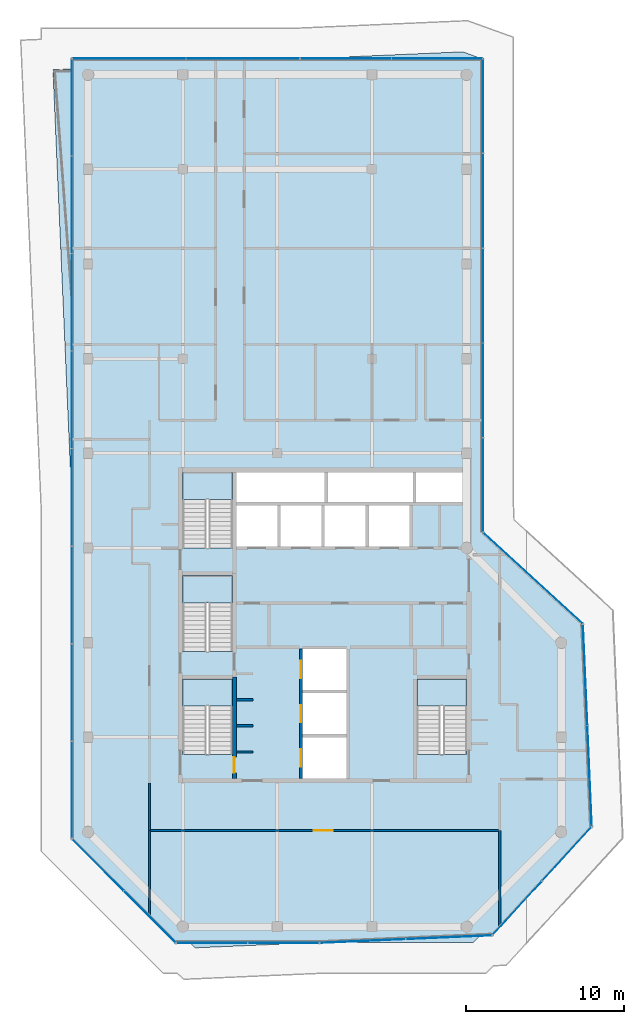
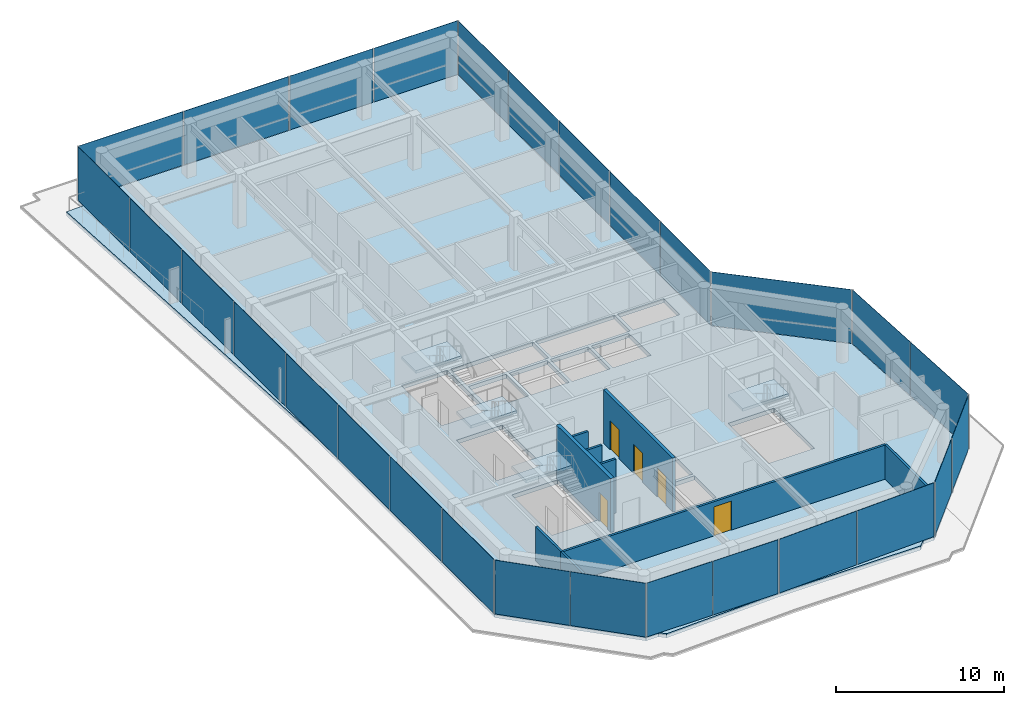
# One storey, part 14 of 19: 28 plates, 9 walls, 5 doors, 5 slabs, 5 openings, 14 elements without a shape of their own.
"""IFC4 building model written with IfcOpenShell, lengths in metres."""

import ifcopenshell
import ifcopenshell.guid

model = None  # the IFC model being written
_history = None  # IfcOwnerHistory: only IFC2X3 demands one
_inside = {}  # id of a spatial element -> (the spatial element, [elements in it])
_under = {}  # id of a project, library or spatial element -> (it, [spatial elements below it])
_declared = {}  # id of a project -> (the project, [libraries it declares])
_typed = {}  # id of a type object -> (the type object, [elements of that type])
_made_of = {}  # id of a material, layer set ... -> (it, [elements and type objects made of it])


def new_model(schema):
    """Start an empty IFC model of exactly this schema.

    Asked for "IFC4X3", IfcOpenShell would pick the latest addendum, in which some entities
    have other attributes; the version numbers below select the first issue.
    IFC2X3 requires an IfcOwnerHistory on every rooted entity: one is made here for all.
    """
    global model, _history
    if schema == "IFC4X3":
        model = ifcopenshell.file(schema_version=(4, 3, 0, 0))
    else:
        model = ifcopenshell.file(schema=schema)
    _inside.clear()
    _under.clear()
    _declared.clear()
    _typed.clear()
    _made_of.clear()
    _history = None
    if model.schema == "IFC2X3":
        org = make("IfcOrganization", Name="unknown")
        user = make(
            "IfcPersonAndOrganization",
            ThePerson=make("IfcPerson", FamilyName="unknown"),
            TheOrganization=org,
        )
        app = make(
            "IfcApplication",
            ApplicationDeveloper=org,
            Version="unknown",
            ApplicationFullName="unknown",
            ApplicationIdentifier="unknown",
        )
        _history = make(
            "IfcOwnerHistory",
            OwningUser=user,
            OwningApplication=app,
            ChangeAction="ADDED",
            CreationDate=0,
        )
    return model


def make(cls, **values):
    """One entity of the class cls with the attributes given. An attribute that is None is left unset."""
    return model.create_entity(
        cls, **{name: value for name, value in values.items() if value is not None}
    )


def rooted(cls, **values):
    """An entity with a GlobalId (a new one), such as an element, a storey or a relation."""
    return make(cls, GlobalId=ifcopenshell.guid.new(), OwnerHistory=_history, **values)


def si_unit(unit_type, name, prefix=None):
    """IfcSIUnit, for example si_unit("LENGTHUNIT", "METRE", prefix="MILLI")."""
    return make("IfcSIUnit", UnitType=unit_type, Prefix=prefix, Name=name)


def assignment(units):
    """IfcUnitAssignment: the units of a project."""
    return None if units is None else make("IfcUnitAssignment", Units=units)


def point(xyz):
    """IfcCartesianPoint."""
    return None if xyz is None else make("IfcCartesianPoint", Coordinates=xyz)


def direction(xyz):
    """IfcDirection."""
    return None if xyz is None else make("IfcDirection", DirectionRatios=xyz)


def frame(location, z_axis=None, x_axis=None):
    """IfcAxis2Placement3D, a coordinate frame: its origin and axes. An axis left out is left unset."""
    return make(
        "IfcAxis2Placement3D",
        Location=point(location),
        Axis=direction(z_axis),
        RefDirection=direction(x_axis),
    )


def frame_2d(location, x_axis=None):
    """IfcAxis2Placement2D, a coordinate frame in the plane: its origin and x axis."""
    return make(
        "IfcAxis2Placement2D", Location=point(location), RefDirection=direction(x_axis)
    )


def origin():
    """The frame at (0, 0, 0) with its axes left unset."""
    return frame((0.0, 0.0, 0.0))


def origin_2d():
    """The frame at (0, 0) in the plane with its x axis left unset."""
    return frame_2d((0.0, 0.0))


def place(relative_to, where):
    """IfcLocalPlacement: puts the frame where relative to a parent placement (None: the world)."""
    return make(
        "IfcLocalPlacement", PlacementRelTo=relative_to, RelativePlacement=where
    )


def context(
    kind, dimensions, precision=None, world=None, true_north=None, identifier=None
):
    """IfcGeometricRepresentationContext, for example the 3D "Model" context."""
    return make(
        "IfcGeometricRepresentationContext",
        ContextIdentifier=identifier,
        ContextType=kind,
        CoordinateSpaceDimension=dimensions,
        Precision=precision,
        WorldCoordinateSystem=world,
        TrueNorth=true_north,
    )


def subcontext(parent, identifier, kind, view, scale=None):
    """IfcGeometricRepresentationSubContext, for example "Body" below "Model"."""
    return make(
        "IfcGeometricRepresentationSubContext",
        ContextIdentifier=identifier,
        ContextType=kind,
        ParentContext=parent,
        TargetScale=scale,
        TargetView=view,
    )


def project(units=None, contexts=None):
    """IfcProject with its units and contexts."""
    return rooted(
        "IfcProject",
        Name="project",
        RepresentationContexts=contexts,
        UnitsInContext=assignment(units),
    )


def spatial(cls, under=None, at=None, **own):
    """A site, building, storey or space (cls), placed at a placement, below another one or the project."""
    s = rooted(cls, ObjectPlacement=at, **own)
    if under is not None:
        _under.setdefault(under.id(), (under, []))[1].append(s)
    return s


def polyline(points):
    """IfcPolyline through the points."""
    return make("IfcPolyline", Points=[point(p) for p in points])


def profile(cls, at=None, kind="AREA", **sizes):
    """A parametric profile (cls). Its sizes go by their IFC names, for example OverallWidth=200.0."""
    return make(cls, ProfileType=kind, Position=at, **sizes)


def rectangle(**sizes):
    """IfcRectangleProfileDef."""
    return profile("IfcRectangleProfileDef", **sizes)


def outline(outer, holes=None, kind="AREA"):
    """IfcArbitraryClosedProfileDef: a profile drawn as a closed curve; with holes, ...WithVoids."""
    if holes is None:
        return make("IfcArbitraryClosedProfileDef", ProfileType=kind, OuterCurve=outer)
    return make(
        "IfcArbitraryProfileDefWithVoids",
        ProfileType=kind,
        OuterCurve=outer,
        InnerCurves=holes,
    )


def extrude(swept, where, along, depth):
    """IfcExtrudedAreaSolid: the profile swept, set in the frame where, extruded along a direction by depth."""
    return make(
        "IfcExtrudedAreaSolid",
        SweptArea=swept,
        Position=where,
        ExtrudedDirection=direction(along),
        Depth=depth,
    )


def shape(context_of_items, identifier, shape_type, items):
    """IfcShapeRepresentation: the items that make up one representation, for example the "Body"."""
    return make(
        "IfcShapeRepresentation",
        ContextOfItems=context_of_items,
        RepresentationIdentifier=identifier,
        RepresentationType=shape_type,
        Items=items,
    )


def material(Name=None, Category=None):
    """IfcMaterial."""
    return make("IfcMaterial", Name=Name, Category=Category)


def layer(
    of_material, thickness, ventilated=None, Name=None, Category=None, Priority=None
):
    """IfcMaterialLayer: one layer of a wall or slab, of a material (None: an air gap)."""
    return make(
        "IfcMaterialLayer",
        Material=of_material,
        LayerThickness=thickness,
        IsVentilated=ventilated,
        Name=Name,
        Category=Category,
        Priority=Priority,
    )


def layer_set(layers, Name=None):
    """IfcMaterialLayerSet."""
    return make("IfcMaterialLayerSet", MaterialLayers=layers, LayerSetName=Name)


def made_of(thing, what):
    """Note that an element or type object is made of a material, layer set ...; save() writes the relation."""
    if what is not None:
        _made_of.setdefault(what.id(), (what, []))[1].append(thing)
    return thing


def type_object(cls, material=None, **own):
    """A type object (cls), such as IfcWallType, which elements share."""
    return made_of(rooted(cls, **own), material)


def element(
    cls,
    number,
    at=None,
    inside=None,
    cuts=None,
    type_object=None,
    material=None,
    context=None,
    identifier="Body",
    shape_type=None,
    held_by="IfcProductDefinitionShape",
    body=None,
    shapes=None,
    **own,
):
    """One element of the class cls, such as IfcWall. Its Tag is "e" and its number.

    at: its placement. inside: the storey or other place that contains it. cuts: it is an
    opening in that element (IfcRelVoidsElement). A single representation is given by context,
    identifier, shape_type and body (its items); several are given by shapes. held_by: the class
    of the entity that holds the representations. save() writes the other relations.
    """
    e = rooted(cls, Tag="e%d" % number, ObjectPlacement=at, **own)
    if body is not None:
        shapes = [shape(context, identifier, shape_type, body)]
    if shapes is not None:
        e.Representation = make(held_by, Representations=shapes)
    if inside is not None:
        _inside.setdefault(inside.id(), (inside, []))[1].append(e)
    if cuts is not None:
        rooted(
            "IfcRelVoidsElement", RelatingBuildingElement=cuts, RelatedOpeningElement=e
        )
    if type_object is not None:
        _typed.setdefault(type_object.id(), (type_object, []))[1].append(e)
    return made_of(e, material)


def fill(opening, filler):
    """IfcRelFillsElement: the door or window that sits in an opening."""
    return rooted(
        "IfcRelFillsElement",
        RelatingOpeningElement=opening,
        RelatedBuildingElement=filler,
    )


def aggregate(whole, parts):
    """IfcRelAggregates: a whole, such as a stair, and the parts it consists of."""
    return rooted("IfcRelAggregates", RelatingObject=whole, RelatedObjects=parts)


def save(model, path):
    """Write the relations noted so far, then the file.

    IfcRelAggregates (storeys below a building ...), IfcRelContainedInSpatialStructure (elements
    in a storey), IfcRelDefinesByType, IfcRelAssociatesMaterial and IfcRelDeclares: one each for
    every whole, place, type object, material and project.
    """
    for whole, parts in _under.values():
        aggregate(whole, parts)
    for where, things in _inside.values():
        rooted(
            "IfcRelContainedInSpatialStructure",
            RelatedElements=things,
            RelatingStructure=where,
        )
    for kind, things in _typed.values():
        rooted("IfcRelDefinesByType", RelatedObjects=things, RelatingType=kind)
    for what, things in _made_of.values():
        rooted("IfcRelAssociatesMaterial", RelatedObjects=things, RelatingMaterial=what)
    for by, libraries in _declared.values():
        rooted("IfcRelDeclares", RelatingContext=by, RelatedDefinitions=libraries)
    model.write(path)


model = new_model("IFC4")

# Units and contexts
model_context = context("Model", 3, precision=1e-05, world=origin(), true_north=direction((0.0, 1.0)))
body_context = subcontext(model_context, "Body", "Model", "MODEL_VIEW")
ifc_project = project(units=[si_unit("LENGTHUNIT", "METRE"), si_unit("AREAUNIT", "SQUARE_METRE"), si_unit("VOLUMEUNIT", "CUBIC_METRE"), si_unit("PLANEANGLEUNIT", "RADIAN"), si_unit("MASSUNIT", "GRAM", prefix="KILO")], contexts=[model_context])

# Site, building, storey
site_placement = place(None, origin())
site = spatial("IfcSite", under=ifc_project, at=site_placement, CompositionType="ELEMENT")
building_placement = place(site_placement, origin())
building = spatial("IfcBuilding", under=site, at=building_placement, Name="Welwitschia Terrace Campus", CompositionType="ELEMENT")
storey_placement = place(building_placement, frame((0.0, 0.0, 323.0)))
storey = spatial("IfcBuildingStorey", under=building, at=storey_placement, Name="L72", CompositionType="ELEMENT", Elevation=323.0)

# Curtain wall, plates
ifc_material_1 = material(Name="Bronze anodised aluminium", Category="aluminium")
ifc_layer_1 = layer(ifc_material_1, 0.10009765625)
ifc_layer_set_1 = layer_set([ifc_layer_1], Name="Bronze anodised aluminium")
curtain_wall_type = type_object("IfcCurtainWallType", Name="Curtain wall CW5 crown 6000", PredefinedType="NOTDEFINED", material=ifc_layer_set_1)
curtain_wall_1_placement = place(storey_placement, origin())
curtain_wall_1 = element("IfcCurtainWall", 1, at=curtain_wall_1_placement, inside=storey, type_object=curtain_wall_type, Name="CW L72.0.0", PredefinedType="NOTDEFINED")
ifc_material_2 = material(Name="Tinted bronze-grey glass", Category="glass")
ifc_layer_2 = layer(ifc_material_2, 0.02392578125)
ifc_layer_set_2 = layer_set([ifc_layer_2], Name="Tinted bronze-grey glass")
plate_type = type_object("IfcPlateType", Name="Glass panel 24 tinted", PredefinedType="CURTAIN_PANEL", material=ifc_layer_set_2)
plate_1_placement = place(storey_placement, frame((0.629638671875, -0.08642578125, 0.0), z_axis=(0.0, 0.0, 1.0), x_axis=(0.707106781187, -0.707106781187, 0.0)))
plate_1 = element("IfcPlate", 2, at=plate_1_placement, type_object=plate_type, Name="Panel L72.0.0.0", PredefinedType="CURTAIN_PANEL", context=body_context, shape_type="SweptSolid", body=[
    extrude(rectangle(XDim=4.59423828125, YDim=0.02392578125, at=origin_2d()), origin(), (0.0, 0.0, 1.0), 3.89990234375),
])
plate_2_placement = place(storey_placement, frame((3.91357421875, -3.370361328125, 0.0), z_axis=(0.0, 0.0, 1.0), x_axis=(0.707106781187, -0.707106781187, 0.0)))
plate_2 = element("IfcPlate", 3, at=plate_2_placement, type_object=plate_type, Name="Panel L72.0.0.1", PredefinedType="CURTAIN_PANEL", context=body_context, shape_type="SweptSolid", body=[
    extrude(rectangle(XDim=4.59423828125, YDim=0.02392578125, at=origin_2d()), origin(), (0.0, 0.0, 1.0), 3.89990234375),
])
aggregate(curtain_wall_1, [plate_1, plate_2])

curtain_wall_2_placement = place(storey_placement, origin())
curtain_wall_2 = element("IfcCurtainWall", 4, at=curtain_wall_2_placement, inside=storey, type_object=curtain_wall_type, Name="CW L72.1.0", PredefinedType="NOTDEFINED")
plate_3_placement = place(storey_placement, frame((7.85888671875, -5.030029296875, 0.0), z_axis=(0.0, 0.0, 1.0), x_axis=(1.0, 0.0, 0.0)))
plate_3 = element("IfcPlate", 5, at=plate_3_placement, type_object=plate_type, Name="Panel L72.1.0.0", PredefinedType="CURTAIN_PANEL", context=body_context, shape_type="SweptSolid", body=[
    extrude(rectangle(XDim=4.47119140625, YDim=0.02392578125, at=origin_2d()), origin(), (0.0, 0.0, 1.0), 3.89990234375),
])
plate_4_placement = place(storey_placement, frame((12.380126953125, -5.030029296875, 0.0), z_axis=(0.0, 0.0, 1.0), x_axis=(1.0, 0.0, 0.0)))
plate_4 = element("IfcPlate", 6, at=plate_4_placement, type_object=plate_type, Name="Panel L72.1.0.1", PredefinedType="CURTAIN_PANEL", context=body_context, shape_type="SweptSolid", body=[
    extrude(rectangle(XDim=4.47119140625, YDim=0.02392578125, at=origin_2d()), origin(), (0.0, 0.0, 1.0), 3.89990234375),
])
aggregate(curtain_wall_2, [plate_3, plate_4])

curtain_wall_3_placement = place(storey_placement, origin())
curtain_wall_3 = element("IfcCurtainWall", 7, at=curtain_wall_3_placement, inside=storey, type_object=curtain_wall_type, Name="CW L72.2.0", PredefinedType="NOTDEFINED")
plate_5_placement = place(storey_placement, frame((17.417724609375, -4.909912109375, 0.0), z_axis=(0.0, 0.0, 1.0), x_axis=(0.999048221582, 0.043619387365, 0.0)))
plate_5 = element("IfcPlate", 8, at=plate_5_placement, type_object=plate_type, Name="Panel L72.2.0.0", PredefinedType="CURTAIN_PANEL", context=body_context, shape_type="SweptSolid", body=[
    extrude(rectangle(XDim=5.408935546875, YDim=0.02392578125, at=origin_2d()), origin(), (0.0, 0.0, 1.0), 3.89990234375),
])
plate_6_placement = place(storey_placement, frame((22.871337890625, -4.671630859375, 0.0), z_axis=(0.0, 0.0, 1.0), x_axis=(0.999048221582, 0.043619387365, 0.0)))
plate_6 = element("IfcPlate", 9, at=plate_6_placement, type_object=plate_type, Name="Panel L72.2.0.1", PredefinedType="CURTAIN_PANEL", context=body_context, shape_type="SweptSolid", body=[
    extrude(rectangle(XDim=5.408935546875, YDim=0.02392578125, at=origin_2d()), origin(), (0.0, 0.0, 1.0), 3.89990234375),
])
aggregate(curtain_wall_3, [plate_5, plate_6])

curtain_wall_4_placement = place(storey_placement, origin())
curtain_wall_4 = element("IfcCurtainWall", 10, at=curtain_wall_4_placement, inside=storey, type_object=curtain_wall_type, Name="CW L72.3.0", PredefinedType="NOTDEFINED")
plate_7_placement = place(storey_placement, frame((27.208740234375, -2.821044921875, 0.0), z_axis=(0.0, 0.0, 1.0), x_axis=(0.675590207616, 0.73727733681, 0.0)))
plate_7 = element("IfcPlate", 11, at=plate_7_placement, type_object=plate_type, Name="Panel L72.3.0.0", PredefinedType="CURTAIN_PANEL", context=body_context, shape_type="SweptSolid", body=[
    extrude(rectangle(XDim=4.59423828125, YDim=0.02392578125, at=origin_2d()), origin(), (0.0, 0.0, 1.0), 3.89990234375),
])
plate_8_placement = place(storey_placement, frame((30.346435546875, 0.60302734375, 0.0), z_axis=(0.0, 0.0, 1.0), x_axis=(0.675590207616, 0.73727733681, 0.0)))
plate_8 = element("IfcPlate", 12, at=plate_8_placement, type_object=plate_type, Name="Panel L72.3.0.1", PredefinedType="CURTAIN_PANEL", context=body_context, shape_type="SweptSolid", body=[
    extrude(rectangle(XDim=4.59423828125, YDim=0.02392578125, at=origin_2d()), origin(), (0.0, 0.0, 1.0), 3.89990234375),
])
aggregate(curtain_wall_4, [plate_7, plate_8])

curtain_wall_5_placement = place(storey_placement, origin())
curtain_wall_5 = element("IfcCurtainWall", 13, at=curtain_wall_5_placement, inside=storey, type_object=curtain_wall_type, Name="CW L72.4.0", PredefinedType="NOTDEFINED")
plate_9_placement = place(storey_placement, frame((31.791259765625, 5.55615234375, 0.0), z_axis=(0.0, 0.0, 1.0), x_axis=(-0.043619387365, 0.999048221582, 0.0)))
plate_9 = element("IfcPlate", 14, at=plate_9_placement, type_object=plate_type, Name="Panel L72.4.0.0", PredefinedType="CURTAIN_PANEL", context=body_context, shape_type="SweptSolid", body=[
    extrude(rectangle(XDim=6.3515625, YDim=0.02392578125, at=origin_2d()), origin(), (0.0, 0.0, 1.0), 3.89990234375),
])
plate_10_placement = place(storey_placement, frame((31.51220703125, 11.951904296875, 0.0), z_axis=(0.0, 0.0, 1.0), x_axis=(-0.043619387365, 0.999048221582, 0.0)))
plate_10 = element("IfcPlate", 15, at=plate_10_placement, type_object=plate_type, Name="Panel L72.4.0.1", PredefinedType="CURTAIN_PANEL", context=body_context, shape_type="SweptSolid", body=[
    extrude(rectangle(XDim=6.3515625, YDim=0.02392578125, at=origin_2d()), origin(), (0.0, 0.0, 1.0), 3.89990234375),
])
aggregate(curtain_wall_5, [plate_9, plate_10])

# Curtain wall, plate
curtain_wall_6_placement = place(storey_placement, origin())
curtain_wall_6 = element("IfcCurtainWall", 16, at=curtain_wall_6_placement, inside=storey, type_object=curtain_wall_type, Name="CW L72.5.0", PredefinedType="NOTDEFINED")
plate_11_placement = place(storey_placement, frame((28.20068359375, 18.080078125, 0.0), z_axis=(0.0, 0.0, 1.0), x_axis=(-0.73727733681, 0.675590207616, 0.0)))
plate_11 = element("IfcPlate", 17, at=plate_11_placement, type_object=plate_type, Name="Panel L72.5.0.0", PredefinedType="CURTAIN_PANEL", context=body_context, shape_type="SweptSolid", body=[
    extrude(rectangle(XDim=8.501220703125, YDim=0.02392578125, at=origin_2d()), origin(), (0.0, 0.0, 1.0), 3.89990234375),
])
aggregate(curtain_wall_6, [plate_11])

# Curtain wall, plates
curtain_wall_7_placement = place(storey_placement, origin())
curtain_wall_7 = element("IfcCurtainWall", 18, at=curtain_wall_7_placement, inside=storey, type_object=curtain_wall_type, Name="CW L72.6.0", PredefinedType="NOTDEFINED")
plate_12_placement = place(storey_placement, frame((25.030029296875, 24.00146484375, 0.0), z_axis=(0.0, 0.0, 1.0), x_axis=(0.0, 1.0, 0.0)))
plate_12 = element("IfcPlate", 19, at=plate_12_placement, type_object=plate_type, Name="Panel L72.6.0.0", PredefinedType="CURTAIN_PANEL", context=body_context, shape_type="SweptSolid", body=[
    extrude(rectangle(XDim=5.93212890625, YDim=0.02392578125, at=origin_2d()), origin(), (0.0, 0.0, 1.0), 3.89990234375),
])
plate_13_placement = place(storey_placement, frame((25.030029296875, 29.99609375, 0.0), z_axis=(0.0, 0.0, 1.0), x_axis=(0.0, 1.0, 0.0)))
plate_13 = element("IfcPlate", 20, at=plate_13_placement, type_object=plate_type, Name="Panel L72.6.0.1", PredefinedType="CURTAIN_PANEL", context=body_context, shape_type="SweptSolid", body=[
    extrude(rectangle(XDim=5.95703125, YDim=0.02392578125, at=origin_2d()), origin(), (0.0, 0.0, 1.0), 3.89990234375),
])
plate_14_placement = place(storey_placement, frame((25.030029296875, 36.003173828125, 0.0), z_axis=(0.0, 0.0, 1.0), x_axis=(0.0, 1.0, 0.0)))
plate_14 = element("IfcPlate", 21, at=plate_14_placement, type_object=plate_type, Name="Panel L72.6.0.2", PredefinedType="CURTAIN_PANEL", context=body_context, shape_type="SweptSolid", body=[
    extrude(rectangle(XDim=5.95703125, YDim=0.02392578125, at=origin_2d()), origin(), (0.0, 0.0, 1.0), 3.89990234375),
])
plate_15_placement = place(storey_placement, frame((25.030029296875, 42.01025390625, 0.0), z_axis=(0.0, 0.0, 1.0), x_axis=(0.0, 1.0, 0.0)))
plate_15 = element("IfcPlate", 22, at=plate_15_placement, type_object=plate_type, Name="Panel L72.6.0.3", PredefinedType="CURTAIN_PANEL", context=body_context, shape_type="SweptSolid", body=[
    extrude(rectangle(XDim=5.95703125, YDim=0.02392578125, at=origin_2d()), origin(), (0.0, 0.0, 1.0), 3.89990234375),
])
plate_16_placement = place(storey_placement, frame((25.030029296875, 48.005126953125, 0.0), z_axis=(0.0, 0.0, 1.0), x_axis=(0.0, 1.0, 0.0)))
plate_16 = element("IfcPlate", 23, at=plate_16_placement, type_object=plate_type, Name="Panel L72.6.0.4", PredefinedType="CURTAIN_PANEL", context=body_context, shape_type="SweptSolid", body=[
    extrude(rectangle(XDim=5.93212890625, YDim=0.02392578125, at=origin_2d()), origin(), (0.0, 0.0, 1.0), 3.89990234375),
])
aggregate(curtain_wall_7, [plate_12, plate_13, plate_14, plate_15, plate_16])

curtain_wall_8_placement = place(storey_placement, origin())
curtain_wall_8 = element("IfcCurtainWall", 24, at=curtain_wall_8_placement, inside=storey, type_object=curtain_wall_type, Name="CW L72.7.0", PredefinedType="NOTDEFINED")
plate_17_placement = place(storey_placement, frame((22.12060546875, 51.023193359375, 0.0), z_axis=(0.0, 0.0, 1.0), x_axis=(-0.999999703223, 0.000770424698, 0.0)))
plate_17 = element("IfcPlate", 25, at=plate_17_placement, type_object=plate_type, Name="Panel L72.7.0.0", PredefinedType="CURTAIN_PANEL", context=body_context, shape_type="SweptSolid", body=[
    extrude(rectangle(XDim=5.71875, YDim=0.02392578125, at=origin_2d()), origin(), (0.0, 0.0, 1.0), 3.89990234375),
])
plate_18_placement = place(storey_placement, frame((16.35205078125, 51.02783203125, 0.0), z_axis=(0.0, 0.0, 1.0), x_axis=(-0.999999703223, 0.000770424698, 0.0)))
plate_18 = element("IfcPlate", 26, at=plate_18_placement, type_object=plate_type, Name="Panel L72.7.0.1", PredefinedType="CURTAIN_PANEL", context=body_context, shape_type="SweptSolid", body=[
    extrude(rectangle(XDim=5.71875, YDim=0.02392578125, at=origin_2d()), origin(), (0.0, 0.0, 1.0), 3.89990234375),
])
aggregate(curtain_wall_8, [plate_17, plate_18])

curtain_wall_9_placement = place(storey_placement, origin())
curtain_wall_9 = element("IfcCurtainWall", 27, at=curtain_wall_9_placement, inside=storey, type_object=curtain_wall_type, Name="CW L72.8.0", PredefinedType="NOTDEFINED")
plate_19_placement = place(storey_placement, frame((9.81201171875, 51.030029296875, 0.0), z_axis=(0.0, 0.0, 1.0), x_axis=(-1.0, 0.0, 0.0)))
plate_19 = element("IfcPlate", 28, at=plate_19_placement, type_object=plate_type, Name="Panel L72.8.0.0", PredefinedType="CURTAIN_PANEL", context=body_context, shape_type="SweptSolid", body=[
    extrude(rectangle(XDim=7.161376953125, YDim=0.02392578125, at=origin_2d()), origin(), (0.0, 0.0, 1.0), 3.89990234375),
])
plate_20_placement = place(storey_placement, frame((2.6005859375, 51.030029296875, 0.0), z_axis=(0.0, 0.0, 1.0), x_axis=(-1.0, 0.0, 0.0)))
plate_20 = element("IfcPlate", 29, at=plate_20_placement, type_object=plate_type, Name="Panel L72.8.0.1", PredefinedType="CURTAIN_PANEL", context=body_context, shape_type="SweptSolid", body=[
    extrude(rectangle(XDim=7.161376953125, YDim=0.02392578125, at=origin_2d()), origin(), (0.0, 0.0, 1.0), 3.89990234375),
])
aggregate(curtain_wall_9, [plate_19, plate_20])

curtain_wall_10_placement = place(storey_placement, origin())
curtain_wall_10 = element("IfcCurtainWall", 30, at=curtain_wall_10_placement, inside=storey, type_object=curtain_wall_type, Name="CW L72.9.0", PredefinedType="NOTDEFINED")
plate_21_placement = place(storey_placement, frame((-1.030029296875, 47.926513671875, 0.0), z_axis=(0.0, 0.0, 1.0), x_axis=(0.0, -1.0, 0.0)))
plate_21 = element("IfcPlate", 31, at=plate_21_placement, type_object=plate_type, Name="Panel L72.9.0.0", PredefinedType="CURTAIN_PANEL", context=body_context, shape_type="SweptSolid", body=[
    extrude(rectangle(XDim=6.107177734375, YDim=0.02392578125, at=origin_2d()), origin(), (0.0, 0.0, 1.0), 3.89990234375),
])
plate_22_placement = place(storey_placement, frame((-1.030029296875, 41.7568359375, 0.0), z_axis=(0.0, 0.0, 1.0), x_axis=(0.0, -1.0, 0.0)))
plate_22 = element("IfcPlate", 32, at=plate_22_placement, type_object=plate_type, Name="Panel L72.9.0.1", PredefinedType="CURTAIN_PANEL", context=body_context, shape_type="SweptSolid", body=[
    extrude(rectangle(XDim=6.132080078125, YDim=0.02392578125, at=origin_2d()), origin(), (0.0, 0.0, 1.0), 3.89990234375),
])
plate_23_placement = place(storey_placement, frame((-1.030029296875, 35.57470703125, 0.0), z_axis=(0.0, 0.0, 1.0), x_axis=(0.0, -1.0, 0.0)))
plate_23 = element("IfcPlate", 33, at=plate_23_placement, type_object=plate_type, Name="Panel L72.9.0.2", PredefinedType="CURTAIN_PANEL", context=body_context, shape_type="SweptSolid", body=[
    extrude(rectangle(XDim=6.132080078125, YDim=0.02392578125, at=origin_2d()), origin(), (0.0, 0.0, 1.0), 3.89990234375),
])
plate_24_placement = place(storey_placement, frame((-1.030029296875, 29.392822265625, 0.0), z_axis=(0.0, 0.0, 1.0), x_axis=(0.0, -1.0, 0.0)))
plate_24 = element("IfcPlate", 34, at=plate_24_placement, type_object=plate_type, Name="Panel L72.9.0.3", PredefinedType="CURTAIN_PANEL", context=body_context, shape_type="SweptSolid", body=[
    extrude(rectangle(XDim=6.132080078125, YDim=0.02392578125, at=origin_2d()), origin(), (0.0, 0.0, 1.0), 3.89990234375),
])
plate_25_placement = place(storey_placement, frame((-1.030029296875, 23.210693359375, 0.0), z_axis=(0.0, 0.0, 1.0), x_axis=(0.0, -1.0, 0.0)))
plate_25 = element("IfcPlate", 35, at=plate_25_placement, type_object=plate_type, Name="Panel L72.9.0.4", PredefinedType="CURTAIN_PANEL", context=body_context, shape_type="SweptSolid", body=[
    extrude(rectangle(XDim=6.132080078125, YDim=0.02392578125, at=origin_2d()), origin(), (0.0, 0.0, 1.0), 3.89990234375),
])
plate_26_placement = place(storey_placement, frame((-1.030029296875, 17.028564453125, 0.0), z_axis=(0.0, 0.0, 1.0), x_axis=(0.0, -1.0, 0.0)))
plate_26 = element("IfcPlate", 36, at=plate_26_placement, type_object=plate_type, Name="Panel L72.9.0.5", PredefinedType="CURTAIN_PANEL", context=body_context, shape_type="SweptSolid", body=[
    extrude(rectangle(XDim=6.132080078125, YDim=0.02392578125, at=origin_2d()), origin(), (0.0, 0.0, 1.0), 3.89990234375),
])
plate_27_placement = place(storey_placement, frame((-1.030029296875, 10.846435546875, 0.0), z_axis=(0.0, 0.0, 1.0), x_axis=(0.0, -1.0, 0.0)))
plate_27 = element("IfcPlate", 37, at=plate_27_placement, type_object=plate_type, Name="Panel L72.9.0.6", PredefinedType="CURTAIN_PANEL", context=body_context, shape_type="SweptSolid", body=[
    extrude(rectangle(XDim=6.132080078125, YDim=0.02392578125, at=origin_2d()), origin(), (0.0, 0.0, 1.0), 3.89990234375),
])
plate_28_placement = place(storey_placement, frame((-1.030029296875, 4.677001953125, 0.0), z_axis=(0.0, 0.0, 1.0), x_axis=(0.0, -1.0, 0.0)))
plate_28 = element("IfcPlate", 38, at=plate_28_placement, type_object=plate_type, Name="Panel L72.9.0.7", PredefinedType="CURTAIN_PANEL", context=body_context, shape_type="SweptSolid", body=[
    extrude(rectangle(XDim=6.107177734375, YDim=0.02392578125, at=origin_2d()), origin(), (0.0, 0.0, 1.0), 3.89990234375),
])
aggregate(curtain_wall_10, [plate_21, plate_22, plate_23, plate_24, plate_25, plate_26, plate_27, plate_28])

# Stair, slab
ifc_material_3 = material(Name="Concrete C40/50", Category="concrete")
stair_type = type_object("IfcStairType", Name="Stair 24R 175 W1500", PredefinedType="HALF_TURN_STAIR", material=ifc_material_3)
stair_1_placement = place(storey_placement, origin())
stair_1 = element("IfcStair", 39, at=stair_1_placement, inside=storey, type_object=stair_type, Name="L72 Exit stair S1", PredefinedType="HALF_TURN_STAIR")
ifc_material_4 = material(Name="Concrete C40/50", Category="concrete")
ifc_layer_3 = layer(ifc_material_4, 0.199951171875)
ifc_layer_set_3 = layer_set([ifc_layer_3], Name="Concrete C40/50")
slab_type_1 = type_object("IfcSlabType", Name="Stair landing RC", PredefinedType="LANDING", material=ifc_layer_set_3)
slab_1_placement = place(storey_placement, frame((0.0, 0.0, 1.89990234375)))
slab_1 = element("IfcSlab", 40, at=slab_1_placement, type_object=slab_type_1, Name="S1 landing 1", PredefinedType="LANDING", context=body_context, shape_type="SweptSolid", body=[
    extrude(outline(polyline([(9.14990234375, 9.97998046875), (9.14990234375, 11.699951171875), (6.0, 11.699951171875), (6.0, 9.97998046875), (9.14990234375, 9.97998046875)])), origin(), (0.0, 0.0, 1.0), 0.2001953125),
])
aggregate(stair_1, [slab_1])

stair_2_placement = place(storey_placement, origin())
stair_2 = element("IfcStair", 41, at=stair_2_placement, inside=storey, type_object=stair_type, Name="L72 Exit stair S3", PredefinedType="HALF_TURN_STAIR")
slab_2_placement = place(storey_placement, frame((0.0, 0.0, 1.89990234375)))
slab_2 = element("IfcSlab", 42, at=slab_2_placement, type_object=slab_type_1, Name="S3 landing 1", PredefinedType="LANDING", context=body_context, shape_type="SweptSolid", body=[
    extrude(outline(polyline([(9.14990234375, 16.530029296875), (9.14990234375, 18.25), (6.0, 18.25), (6.0, 16.530029296875), (9.14990234375, 16.530029296875)])), origin(), (0.0, 0.0, 1.0), 0.2001953125),
])
aggregate(stair_2, [slab_2])

stair_3_placement = place(storey_placement, origin())
stair_3 = element("IfcStair", 43, at=stair_3_placement, inside=storey, type_object=stair_type, Name="L72 Exit stair S4", PredefinedType="HALF_TURN_STAIR")
slab_3_placement = place(storey_placement, frame((0.0, 0.0, 1.89990234375)))
slab_3 = element("IfcSlab", 44, at=slab_3_placement, type_object=slab_type_1, Name="S4 landing 1", PredefinedType="LANDING", context=body_context, shape_type="SweptSolid", body=[
    extrude(outline(polyline([(9.14990234375, 23.080078125), (9.14990234375, 24.800048828125), (6.0, 24.800048828125), (6.0, 23.080078125), (9.14990234375, 23.080078125)])), origin(), (0.0, 0.0, 1.0), 0.2001953125),
])
aggregate(stair_3, [slab_3])

stair_4_placement = place(storey_placement, origin())
stair_4 = element("IfcStair", 45, at=stair_4_placement, inside=storey, type_object=stair_type, Name="L72 Exit stair S2", PredefinedType="HALF_TURN_STAIR")
slab_4_placement = place(storey_placement, frame((0.0, 0.0, 1.89990234375)))
slab_4 = element("IfcSlab", 46, at=slab_4_placement, type_object=slab_type_1, Name="S2 landing 1", PredefinedType="LANDING", context=body_context, shape_type="SweptSolid", body=[
    extrude(outline(polyline([(24.0, 9.97998046875), (24.0, 11.699951171875), (20.85009765625, 11.699951171875), (20.85009765625, 9.97998046875), (24.0, 9.97998046875)])), origin(), (0.0, 0.0, 1.0), 0.2001953125),
])
aggregate(stair_4, [slab_4])

# Slab
ifc_material_5 = material(Name="Concrete C40/50", Category="concrete")
ifc_layer_4 = layer(ifc_material_5, 0.300048828125)
ifc_layer_set_4 = layer_set([ifc_layer_4], Name="Concrete C40/50")
slab_type_2 = type_object("IfcSlabType", Name="Suspended floor slab 300", PredefinedType="FLOOR", material=ifc_layer_set_4)
slab_5_placement = place(storey_placement, frame((0.0, 0.0, -0.300048828125)))
element("IfcSlab", 47, at=slab_5_placement, inside=storey, type_object=slab_type_2, Name="Floor slab L72", PredefinedType="FLOOR", context=body_context, shape_type="SweptSolid", body=[
    extrude(outline(polyline([(-2.223388671875, 50.31591796875), (-1.0, 50.369384765625), (-1.0, 51.0), (13.443359375, 51.0), (23.751953125, 51.4501953125), (25.0, 51.0), (25.0, 22.86328125), (25.0859375, 20.893310546875), (31.342041015625, 15.160888671875), (31.901611328125, 2.3447265625), (25.609375, -4.522216796875), (24.859375, -4.554931640625), (24.414306640625, -5.0), (14.665283203125, -5.0), (6.798828125, -5.343505859375), (6.424072265625, -5.0), (5.585693359375, -5.0), (-1.0, 1.585693359375), (-1.0, 22.2958984375), (-2.223388671875, 50.31591796875)]), holes=[polyline([(13.60009765625, 8.0), (13.60009765625, 5.39990234375), (16.39990234375, 5.39990234375), (16.39990234375, 8.0), (13.60009765625, 8.0)]), polyline([(9.14990234375, 11.699951171875), (6.0, 11.699951171875), (6.0, 6.902099609375), (9.14990234375, 6.902099609375), (9.14990234375, 11.699951171875)]), polyline([(9.14990234375, 18.25), (6.0, 18.25), (6.0, 13.451904296875), (9.14990234375, 13.451904296875), (9.14990234375, 18.25)]), polyline([(12.0, 22.699951171875), (9.39990234375, 22.699951171875), (9.39990234375, 20.10009765625), (12.0, 20.10009765625), (12.0, 22.699951171875)]), polyline([(14.800048828125, 22.699951171875), (12.199951171875, 22.699951171875), (12.199951171875, 20.10009765625), (14.800048828125, 20.10009765625), (14.800048828125, 22.699951171875)]), polyline([(9.14990234375, 24.800048828125), (6.0, 24.800048828125), (6.0, 20.001953125), (9.14990234375, 20.001953125), (9.14990234375, 24.800048828125)]), polyline([(15.0, 24.800048828125), (9.39990234375, 24.800048828125), (9.39990234375, 22.89990234375), (15.0, 22.89990234375), (15.0, 24.800048828125)]), polyline([(20.85009765625, 11.699951171875), (20.85009765625, 6.902099609375), (24.0, 6.902099609375), (24.0, 11.699951171875), (20.85009765625, 11.699951171875)]), polyline([(16.39990234375, 10.800048828125), (13.60009765625, 10.800048828125), (13.60009765625, 8.199951171875), (16.39990234375, 8.199951171875), (16.39990234375, 10.800048828125)]), polyline([(16.39990234375, 13.60009765625), (13.60009765625, 13.60009765625), (13.60009765625, 11.0), (16.39990234375, 11.0), (16.39990234375, 13.60009765625)]), polyline([(17.60009765625, 22.699951171875), (15.0, 22.699951171875), (15.0, 20.10009765625), (17.60009765625, 20.10009765625), (17.60009765625, 22.699951171875)]), polyline([(20.39990234375, 22.699951171875), (17.800048828125, 22.699951171875), (17.800048828125, 20.10009765625), (20.39990234375, 20.10009765625), (20.39990234375, 22.699951171875)]), polyline([(20.60009765625, 24.800048828125), (15.199951171875, 24.800048828125), (15.199951171875, 22.89990234375), (20.60009765625, 22.89990234375), (20.60009765625, 24.800048828125)]), polyline([(24.0, 24.800048828125), (20.800048828125, 24.800048828125), (20.800048828125, 22.89990234375), (24.0, 22.89990234375), (24.0, 24.800048828125)])]), origin(), (0.0, 0.0, 1.0), 0.300048828125),
])

# Walls
ifc_material_6 = material(Name="Concrete C50/60", Category="concrete")
ifc_layer_5 = layer(ifc_material_6, 0.14990234375)
ifc_layer_set_5 = layer_set([ifc_layer_5], Name="Concrete C50/60")
wall_type_1 = type_object("IfcWallType", Name="Core wall 150 Concrete C50/60", PredefinedType="SHEAR", material=ifc_layer_set_5)
for number, where, z_axis, x_axis, name in (
    (48, (9.39990234375, 7.074951171875, 0.0), (0.0, 0.0, 1.0), (1.0, 0.0, 0.0), "Core wall"),
    (49, (9.39990234375, 8.72509765625, 0.0), (0.0, 0.0, 1.0), (1.0, 0.0, 0.0), "Core wall"),
    (50, (9.39990234375, 10.375, 0.0), (0.0, 0.0, 1.0), (1.0, 0.0, 0.0), "Core wall"),
):
    element("IfcWall", number, at=place(storey_placement, frame(where, z_axis=z_axis, x_axis=x_axis)), inside=storey, type_object=wall_type_1, Name=name, PredefinedType="SHEAR", context=body_context, shape_type="SweptSolid", body=[
        extrude(rectangle(XDim=1.050048828125, YDim=0.14990234375, at=frame_2d((0.52490234375, 0.0))), origin(), (0.0, 0.0, 1.0), 3.89990234375),
    ])

# Wall, openings, doors
ifc_material_7 = material(Name="Concrete C50/60", Category="concrete")
ifc_layer_6 = layer(ifc_material_7, 0.199951171875)
ifc_layer_set_6 = layer_set([ifc_layer_6], Name="Concrete C50/60")
wall_type_2 = type_object("IfcWallType", Name="Core wall 200 Concrete C50/60", PredefinedType="SHEAR", material=ifc_layer_set_6)
wall_1_placement = place(storey_placement, frame((13.5, 5.39990234375, 0.0), z_axis=(0.0, 0.0, 1.0), x_axis=(0.0, 1.0, 0.0)))
wall_1 = element("IfcWall", 51, at=wall_1_placement, inside=storey, type_object=wall_type_2, Name="Core wall", PredefinedType="SHEAR", context=body_context, shape_type="SweptSolid", body=[
    extrude(rectangle(XDim=8.2001953125, YDim=0.199951171875, at=frame_2d((4.10009765625, 0.0))), origin(), (0.0, 0.0, 1.0), 3.89990234375),
])
opening_1_placement = place(wall_1_placement, frame((0.75, 0.0, 0.0)))
opening_1 = element("IfcOpeningElement", 52, at=opening_1_placement, cuts=wall_1, Name="Opening LD", PredefinedType="OPENING", context=body_context, shape_type="SweptSolid", body=[
    extrude(rectangle(XDim=1.10009765625, YDim=2.10009765625, at=frame_2d((0.550048828125, 1.050048828125))), frame((0.0, 0.10986328125, 0.0), z_axis=(0.0, -1.0, 0.0), x_axis=(1.0, 0.0, 0.0)), (0.0, 0.0, 1.0), 0.219970703125),
])
opening_2_placement = place(wall_1_placement, frame((3.550048828125, 0.0, 0.0)))
opening_2 = element("IfcOpeningElement", 53, at=opening_2_placement, cuts=wall_1, Name="Opening LD", PredefinedType="OPENING", context=body_context, shape_type="SweptSolid", body=[
    extrude(rectangle(XDim=1.10009765625, YDim=2.10009765625, at=frame_2d((0.550048828125, 1.050048828125))), frame((0.0, 0.10986328125, 0.0), z_axis=(0.0, -1.0, 0.0), x_axis=(1.0, 0.0, 0.0)), (0.0, 0.0, 1.0), 0.219970703125),
])
opening_3_placement = place(wall_1_placement, frame((6.35009765625, 0.0, 0.0)))
opening_3 = element("IfcOpeningElement", 54, at=opening_3_placement, cuts=wall_1, Name="Opening LD", PredefinedType="OPENING", context=body_context, shape_type="SweptSolid", body=[
    extrude(rectangle(XDim=1.10009765625, YDim=2.10009765625, at=frame_2d((0.550048828125, 1.050048828125))), frame((0.0, 0.10986328125, 0.0), z_axis=(0.0, -1.0, 0.0), x_axis=(1.0, 0.0, 0.0)), (0.0, 0.0, 1.0), 0.219970703125),
])
ifc_material_8 = material(Name="Stainless steel 304", Category="steel")
door_type_1 = type_object("IfcDoorType", Name="Lift landing door", OperationType="DOUBLE_DOOR_SLIDING", PredefinedType="DOOR", material=ifc_material_8)
door_1_placement = place(opening_1_placement, origin())
door_1 = element("IfcDoor", 55, at=door_1_placement, inside=storey, type_object=door_type_1, Name="Landing door FF1", OperationType="DOUBLE_DOOR_SLIDING", OverallHeight=2.10009765625, OverallWidth=1.10009765625, PredefinedType="DOOR", context=body_context, shape_type="SweptSolid", body=[
    extrude(rectangle(XDim=1.10009765625, YDim=2.10009765625, at=frame_2d((0.550048828125, 1.050048828125))), frame((0.0, 0.02490234375, 0.0), z_axis=(0.0, -1.0, 0.0), x_axis=(1.0, 0.0, 0.0)), (0.0, 0.0, 1.0), 0.050048828125),
])
fill(opening_1, door_1)
door_2_placement = place(opening_2_placement, origin())
door_2 = element("IfcDoor", 56, at=door_2_placement, inside=storey, type_object=door_type_1, Name="Landing door FF2", OperationType="DOUBLE_DOOR_SLIDING", OverallHeight=2.10009765625, OverallWidth=1.10009765625, PredefinedType="DOOR", context=body_context, shape_type="SweptSolid", body=[
    extrude(rectangle(XDim=1.10009765625, YDim=2.10009765625, at=frame_2d((0.550048828125, 1.050048828125))), frame((0.0, 0.02490234375, 0.0), z_axis=(0.0, -1.0, 0.0), x_axis=(1.0, 0.0, 0.0)), (0.0, 0.0, 1.0), 0.050048828125),
])
fill(opening_2, door_2)
door_3_placement = place(opening_3_placement, origin())
door_3 = element("IfcDoor", 57, at=door_3_placement, inside=storey, type_object=door_type_1, Name="Landing door SV1", OperationType="DOUBLE_DOOR_SLIDING", OverallHeight=2.10009765625, OverallWidth=1.10009765625, PredefinedType="DOOR", context=body_context, shape_type="SweptSolid", body=[
    extrude(rectangle(XDim=1.10009765625, YDim=2.10009765625, at=frame_2d((0.550048828125, 1.050048828125))), frame((0.0, 0.02490234375, 0.0), z_axis=(0.0, -1.0, 0.0), x_axis=(1.0, 0.0, 0.0)), (0.0, 0.0, 1.0), 0.050048828125),
])
fill(opening_3, door_3)

# Wall, opening, door
ifc_material_9 = material(Name="Concrete C50/60", Category="concrete")
ifc_layer_7 = layer(ifc_material_9, 0.25)
ifc_layer_set_7 = layer_set([ifc_layer_7], Name="Concrete C50/60")
wall_type_3 = type_object("IfcWallType", Name="Core wall 250 Concrete C50/60", PredefinedType="SHEAR", material=ifc_layer_set_7)
wall_2_placement = place(storey_placement, frame((9.27490234375, 11.824951171875, 0.0), z_axis=(0.0, 0.0, 1.0), x_axis=(0.0, -1.0, 0.0)))
wall_2 = element("IfcWall", 58, at=wall_2_placement, inside=storey, type_object=wall_type_3, Name="Core wall", PredefinedType="SHEAR", context=body_context, shape_type="SweptSolid", body=[
    extrude(rectangle(XDim=6.425048828125, YDim=0.25, at=frame_2d((3.21240234375, 0.0))), origin(), (0.0, 0.0, 1.0), 3.89990234375),
])
opening_4_placement = place(wall_2_placement, frame((5.074951171875, 0.0, 0.0)))
opening_4 = element("IfcOpeningElement", 59, at=opening_4_placement, cuts=wall_2, Name="Opening DS10", PredefinedType="OPENING", context=body_context, shape_type="SweptSolid", body=[
    extrude(rectangle(XDim=1.0, YDim=2.10009765625, at=frame_2d((0.5, 1.050048828125))), frame((0.0, 0.135009765625, 0.0), z_axis=(0.0, -1.0, 0.0), x_axis=(1.0, 0.0, 0.0)), (0.0, 0.0, 1.0), 0.27001953125),
])
ifc_material_10 = material(Name="Steel S275", Category="steel")
door_type_2 = type_object("IfcDoorType", Name="Core door DS10", OperationType="SINGLE_SWING_LEFT", PredefinedType="DOOR", material=ifc_material_10)
door_4_placement = place(opening_4_placement, origin())
door_4 = element("IfcDoor", 60, at=door_4_placement, inside=storey, type_object=door_type_2, Name="Door S1-FL", OperationType="SINGLE_SWING_RIGHT", OverallHeight=2.10009765625, OverallWidth=1.0, PredefinedType="DOOR", context=body_context, shape_type="SweptSolid", body=[
    extrude(rectangle(XDim=1.0, YDim=2.10009765625, at=frame_2d((0.5, 1.050048828125))), frame((0.0, 0.02490234375, 0.0), z_axis=(0.0, -1.0, 0.0), x_axis=(1.0, 0.0, 0.0)), (0.0, 0.0, 1.0), 0.050048828125),
])
fill(opening_4, door_4)

# Walls
ifc_material_11 = material(Name="Gypsum board on steel studs", Category="steel")
ifc_layer_8 = layer(ifc_material_11, 0.14990234375)
ifc_layer_set_8 = layer_set([ifc_layer_8], Name="Gypsum board on steel studs")
wall_type_4 = type_object("IfcWallType", Name="Corridor partition 150 EI 30", PredefinedType="PARTITIONING", material=ifc_layer_set_8)
wall_3_placement = place(storey_placement, frame((3.89990234375, -3.2900390625, 0.0), z_axis=(0.0, 0.0, 1.0), x_axis=(0.0, 1.0, 0.0)))
element("IfcWall", 61, at=wall_3_placement, inside=storey, type_object=wall_type_4, Name="Partition", PredefinedType="PARTITIONING", context=body_context, shape_type="SweptSolid", body=[
    extrude(rectangle(XDim=5.39013671875, YDim=0.14990234375, at=frame_2d((2.695068359375, 0.0))), origin(), (0.0, 0.0, 1.0), 2.47998046875),
])
wall_4_placement = place(storey_placement, frame((3.89990234375, 2.10009765625, 0.0), z_axis=(0.0, 0.0, 1.0), x_axis=(0.0, 1.0, 0.0)))
element("IfcWall", 62, at=wall_4_placement, inside=storey, type_object=wall_type_4, Name="Partition", PredefinedType="PARTITIONING", context=body_context, shape_type="SweptSolid", body=[
    extrude(rectangle(XDim=3.0, YDim=0.14990234375, at=frame_2d((1.5, 0.0))), origin(), (0.0, 0.0, 1.0), 2.47998046875),
])
wall_5_placement = place(storey_placement, frame((26.10009765625, -3.9599609375, 0.0), z_axis=(0.0, 0.0, 1.0), x_axis=(0.0, 1.0, 0.0)))
element("IfcWall", 63, at=wall_5_placement, inside=storey, type_object=wall_type_4, Name="Partition", PredefinedType="PARTITIONING", context=body_context, shape_type="SweptSolid", body=[
    extrude(rectangle(XDim=6.06005859375, YDim=0.14990234375, at=frame_2d((3.030029296875, 0.0))), origin(), (0.0, 0.0, 1.0), 2.47998046875),
])

# Wall, opening, door
wall_6_placement = place(storey_placement, frame((26.10009765625, 2.10009765625, 0.0), z_axis=(0.0, 0.0, 1.0), x_axis=(-1.0, 0.0, 0.0)))
wall_6 = element("IfcWall", 64, at=wall_6_placement, inside=storey, type_object=wall_type_4, Name="Partition", PredefinedType="PARTITIONING", context=body_context, shape_type="SweptSolid", body=[
    extrude(rectangle(XDim=22.2001953125, YDim=0.14990234375, at=frame_2d((11.10009765625, 0.0))), origin(), (0.0, 0.0, 1.0), 2.47998046875),
])
opening_5_placement = place(wall_6_placement, frame((10.60009765625, 0.0, 0.0)))
opening_5 = element("IfcOpeningElement", 65, at=opening_5_placement, cuts=wall_6, Name="Opening DI12", PredefinedType="OPENING", context=body_context, shape_type="SweptSolid", body=[
    extrude(rectangle(XDim=1.199951171875, YDim=2.10009765625, at=frame_2d((0.60009765625, 1.050048828125))), frame((0.0, 0.0849609375, 0.0), z_axis=(0.0, -1.0, 0.0), x_axis=(1.0, 0.0, 0.0)), (0.0, 0.0, 1.0), 0.169921875),
])
ifc_material_12 = material(Name="Timber veneered door", Category="wood")
door_type_3 = type_object("IfcDoorType", Name="Interior door DI12", OperationType="NOTDEFINED", PredefinedType="DOOR", material=ifc_material_12)
door_5_placement = place(opening_5_placement, origin())
door_5 = element("IfcDoor", 66, at=door_5_placement, inside=storey, type_object=door_type_3, Name="Door L72 1265", OperationType="SINGLE_SWING_RIGHT", OverallHeight=2.10009765625, OverallWidth=1.199951171875, PredefinedType="DOOR", context=body_context, shape_type="SweptSolid", body=[
    extrude(rectangle(XDim=1.199951171875, YDim=2.10009765625, at=frame_2d((0.60009765625, 1.050048828125))), frame((0.0, 0.02490234375, 0.0), z_axis=(0.0, -1.0, 0.0), x_axis=(1.0, 0.0, 0.0)), (0.0, 0.0, 1.0), 0.050048828125),
])
fill(opening_5, door_5)

save(model, "model.ifc")
